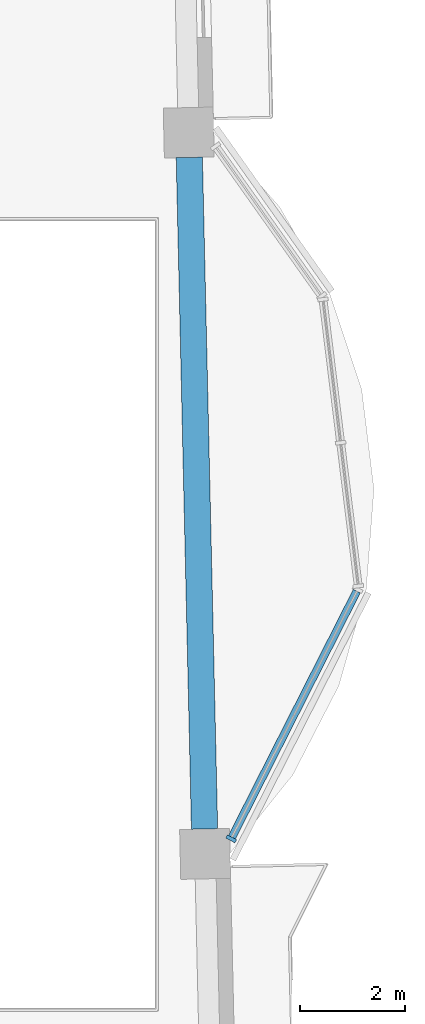
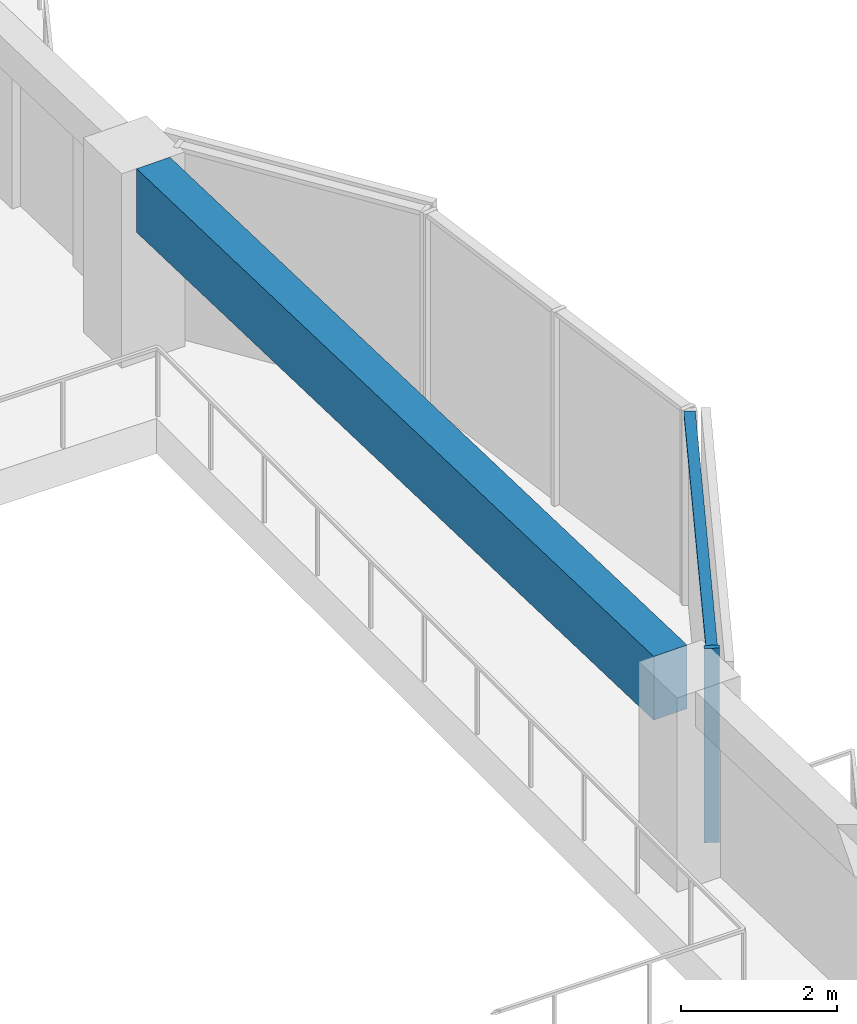
# One storey, part 2 of 20: 2 members, 1 beam, 1 element without a shape of its own.
"""IFC4 building model written with IfcOpenShell, lengths in metres."""

from ifc_helpers import new_model, si_unit, direction, frame, origin, origin_2d, place, context, subcontext, project, spatial, rectangle, extrude, material, material_profile, profile_set, type_object, element, aggregate, save


model = new_model("IFC4")

# Units and contexts
model_context = context("Model", 3, precision=1e-05, world=origin(), true_north=direction((0.0, 1.0)))
body_context = subcontext(model_context, "Body", "Model", "MODEL_VIEW")
ifc_project = project(units=[si_unit("LENGTHUNIT", "METRE"), si_unit("AREAUNIT", "SQUARE_METRE"), si_unit("VOLUMEUNIT", "CUBIC_METRE"), si_unit("PLANEANGLEUNIT", "RADIAN"), si_unit("MASSUNIT", "GRAM", prefix="KILO")], contexts=[model_context])

# Site, building, storey
site_placement = place(None, origin())
site = spatial("IfcSite", under=ifc_project, at=site_placement, CompositionType="ELEMENT")
building_placement = place(site_placement, origin())
building = spatial("IfcBuilding", under=site, at=building_placement, Name="Mangrove Gate Tower", CompositionType="ELEMENT")
storey_placement = place(building_placement, frame((0.0, 0.0, 279.89990234375)))
storey = spatial("IfcBuildingStorey", under=building, at=storey_placement, Name="L71", CompositionType="ELEMENT", Elevation=279.89990234375)

# Curtain wall, members
ifc_material_1 = material(Name="Aluminium and glass curtain wall", Category="aluminium")
curtain_wall_type = type_object("IfcCurtainWallType", Name="Atrium garden-court glazing wall", PredefinedType="NOTDEFINED", material=ifc_material_1)
curtain_wall_placement = place(storey_placement, origin())
curtain_wall = element("IfcCurtainWall", 1, at=curtain_wall_placement, inside=storey, type_object=curtain_wall_type, Name="Atrium garden-court glazing E1f1", PredefinedType="NOTDEFINED")
ifc_material_2 = material(Name="Aluminium alloy 6063-T6", Category="aluminium")
ifc_material_profile_1 = material_profile(ifc_material_2, rectangle(XDim=0.070068359375, YDim=0.199951171875, at=origin_2d()))
ifc_profile_set_1 = profile_set([ifc_material_profile_1], Name="Aluminium alloy 6063-T6")
member_type_1 = type_object("IfcMemberType", Name="Atrium garden-court glazing mullion 70x200", PredefinedType="MULLION", material=ifc_profile_set_1)
member_1_placement = place(storey_placement, frame((31.336181640625, -4.276611328125, 0.0), z_axis=(0.0, 0.0, 1.0), x_axis=(0.452617386511, 0.891704828644, 0.0)))
member_1 = element("IfcMember", 2, at=member_1_placement, type_object=member_type_1, Name="CWA mullion 1", PredefinedType="MULLION", context=body_context, shape_type="SweptSolid", body=[
    extrude(rectangle(XDim=0.070068359375, YDim=0.199951171875, at=origin_2d()), origin(), (0.0, 0.0, 1.0), 3.050048828125),
])
ifc_material_3 = material(Name="Aluminium alloy 6063-T6", Category="aluminium")
ifc_material_profile_2 = material_profile(ifc_material_3, rectangle(XDim=0.070068359375, YDim=0.14990234375, at=origin_2d()))
ifc_profile_set_2 = profile_set([ifc_material_profile_2], Name="Aluminium alloy 6063-T6")
member_type_2 = type_object("IfcMemberType", Name="Atrium garden-court glazing transom 70x150", PredefinedType="USERDEFINED", material=ifc_profile_set_2)
member_2_placement = place(storey_placement, frame((31.35205078125, -4.245361328125, 3.01513671875), z_axis=(0.452628185689, 0.891699347045, 0.0), x_axis=(0.0, 0.0, 1.0)))
member_2 = element("IfcMember", 3, at=member_2_placement, type_object=member_type_2, Name="CWA transom 1.2", ObjectType="TRANSOM", PredefinedType="USERDEFINED", context=body_context, shape_type="SweptSolid", body=[
    extrude(rectangle(XDim=0.070068359375, YDim=0.14990234375, at=origin_2d()), origin(), (0.0, 0.0, 1.0), 5.258544921875),
])
aggregate(curtain_wall, [member_1, member_2])

# Beam
ifc_material_4 = material(Name="Concrete C50/60", Category="concrete")
ifc_material_profile_3 = material_profile(ifc_material_4, rectangle(XDim=0.5, YDim=1.0, at=origin_2d()))
ifc_profile_set_3 = profile_set([ifc_material_profile_3], Name="Concrete C50/60")
beam_type = type_object("IfcBeamType", Name="Edge beam RC 500x1000 C50/60", PredefinedType="BEAM", material=ifc_profile_set_3)
beam_placement = place(storey_placement, frame((30.830322265625, -4.0888671875, 2.550048828125), z_axis=(-0.022696710072, 0.999742396496, 0.0), x_axis=(-0.999742396496, -0.022696710072, 0.0)))
element("IfcBeam", 4, at=beam_placement, inside=storey, type_object=beam_type, Name="Edge beam L71 16", PredefinedType="BEAM", context=body_context, shape_type="SweptSolid", body=[
    extrude(rectangle(XDim=0.5, YDim=1.0, at=origin_2d()), origin(), (0.0, 0.0, 1.0), 12.800537109375),
])

save(model, "model.ifc")
